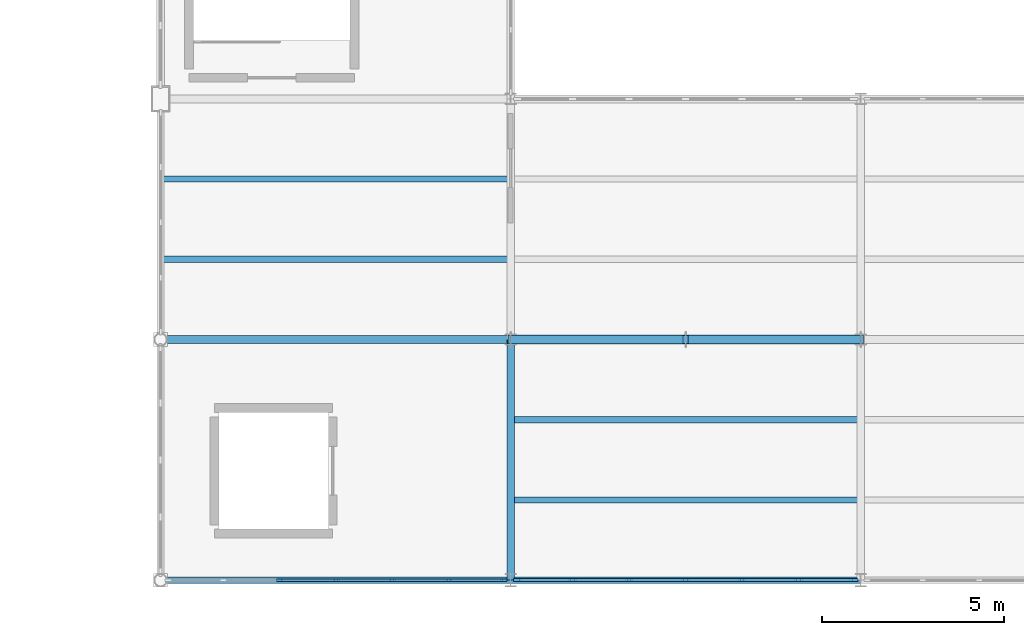
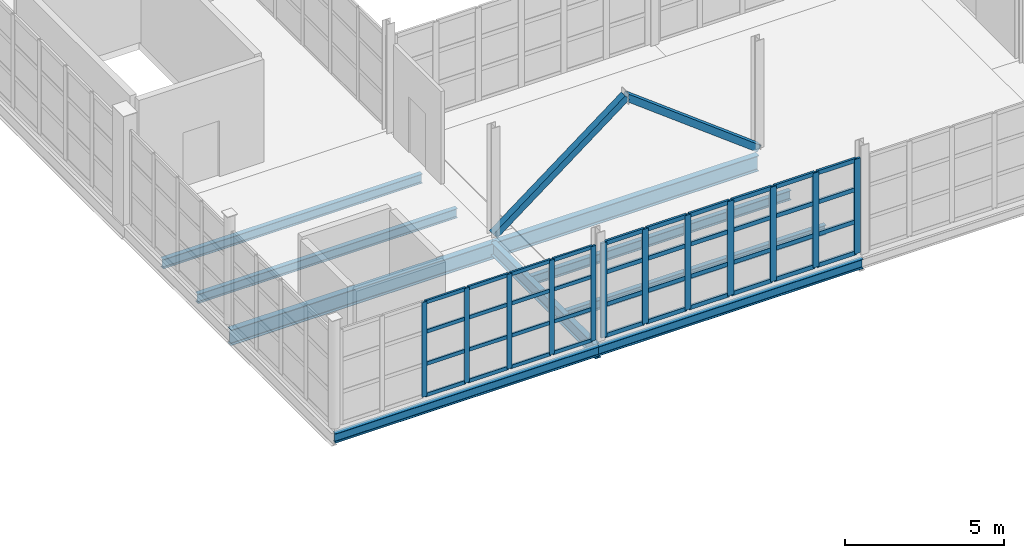
# One storey, part 42 of 82: 54 members, 9 beams, 2 elements without a shape of their own.
"""IFC4 building model written with IfcOpenShell, lengths in metres."""

from ifc_helpers import new_model, si_unit, direction, frame, origin, origin_2d, place, context, subcontext, project, spatial, rectangle, hollow_rectangle, i_section, extrude, material, layer, layer_set, material_profile, profile_set, type_object, element, aggregate, save


model = new_model("IFC4")

# Units and contexts
model_context = context("Model", 3, precision=1e-05, world=origin(), true_north=direction((0.0, 1.0)))
body_context = subcontext(model_context, "Body", "Model", "MODEL_VIEW")
ifc_project = project(units=[si_unit("LENGTHUNIT", "METRE"), si_unit("AREAUNIT", "SQUARE_METRE"), si_unit("VOLUMEUNIT", "CUBIC_METRE"), si_unit("PLANEANGLEUNIT", "RADIAN"), si_unit("MASSUNIT", "GRAM", prefix="KILO")], contexts=[model_context])

# Site, building, storey
site_placement = place(None, origin())
site = spatial("IfcSite", under=ifc_project, at=site_placement, CompositionType="ELEMENT")
building_placement = place(site_placement, origin())
building = spatial("IfcBuilding", under=site, at=building_placement, Name="Zarnetskaya Central Station", CompositionType="ELEMENT")
storey_placement = place(building_placement, frame((0.0, 0.0, 10.199951171875)))
storey = spatial("IfcBuildingStorey", under=building, at=storey_placement, Name="L02", CompositionType="ELEMENT", Elevation=10.199951171875)

# Beams
ifc_material_1 = material(Name="Steel S355", Category="steel")
ifc_material_profile_1 = material_profile(ifc_material_1, i_section(OverallWidth=0.169921875, OverallDepth=0.360107421875, WebThickness=0.008056640625, FlangeThickness=0.0126953125, FilletRadius=0.01806640625, at=origin_2d()), Name="IPE 360")
ifc_profile_set_1 = profile_set([ifc_material_profile_1], Name="Steel S355")
beam_type_1 = type_object("IfcBeamType", Name="BM-SEC-360", PredefinedType="BEAM", material=ifc_profile_set_1)
for number, where, z_axis, x_axis, name in (
    (1, (124.8798828125, 8.800048828125, -0.43994140625), (1.0, 0.0, 0.0), (0.0, 1.0, 0.0), "Secondary floor beam SEC-L02-Z994-PQ-23-1"),
    (2, (124.8798828125, 11.0, -0.43994140625), (1.0, 0.0, 0.0), (0.0, 1.0, 0.0), "Secondary floor beam SEC-L02-Z994-PQ-23-2"),
):
    element("IfcBeam", number, at=place(storey_placement, frame(where, z_axis=z_axis, x_axis=x_axis)), inside=storey, type_object=beam_type_1, Name=name, PredefinedType="BEAM", context=body_context, shape_type="SweptSolid", body=[
        extrude(i_section(OverallWidth=0.169921875, OverallDepth=0.360107421875, WebThickness=0.008056640625, FlangeThickness=0.0126953125, FilletRadius=0.01806640625, at=origin_2d()), origin(), (0.0, 0.0, 1.0), 9.440185546875),
    ])
for number, where, z_axis, x_axis, name in (
    (3, (134.47998046875, 2.199951171875, -0.43994140625), (1.0, 0.0, 0.0), (0.0, 1.0, 0.0), "Secondary floor beam SEC-L02-Z994-QR-12-1"),
    (4, (134.47998046875, 4.39990234375, -0.43994140625), (1.0, 0.0, 0.0), (0.0, 1.0, 0.0), "Secondary floor beam SEC-L02-Z994-QR-12-2"),
):
    element("IfcBeam", number, at=place(storey_placement, frame(where, z_axis=z_axis, x_axis=x_axis)), inside=storey, type_object=beam_type_1, Name=name, PredefinedType="BEAM", context=body_context, shape_type="SweptSolid", body=[
        extrude(i_section(OverallWidth=0.169921875, OverallDepth=0.360107421875, WebThickness=0.008056640625, FlangeThickness=0.0126953125, FilletRadius=0.01806640625, at=origin_2d()), origin(), (0.0, 0.0, 1.0), 9.43994140625),
    ])
ifc_material_profile_2 = material_profile(ifc_material_1, i_section(OverallWidth=0.169921875, OverallDepth=0.360107421875, WebThickness=0.008056640625, FlangeThickness=0.0126953125, FilletRadius=0.01806640625, at=origin_2d()), Name="IPE 360")
ifc_profile_set_2 = profile_set([ifc_material_profile_2], Name="Steel S355")
beam_type_2 = type_object("IfcBeamType", Name="BM-SPN-V4", PredefinedType="SPANDREL", material=ifc_profile_set_2)
beam_1_placement = place(storey_placement, frame((124.800048828125, 0.0, -0.43994140625), z_axis=(1.0, 0.0, 0.0), x_axis=(0.0, 1.0, 0.0)))
element("IfcBeam", 5, at=beam_1_placement, inside=storey, type_object=beam_type_2, Name="Grid girder GX-L02-1-PQ", PredefinedType="SPANDREL", context=body_context, shape_type="SweptSolid", body=[
    extrude(i_section(OverallWidth=0.169921875, OverallDepth=0.360107421875, WebThickness=0.008056640625, FlangeThickness=0.0126953125, FilletRadius=0.01806640625, at=origin_2d()), origin(), (0.0, 0.0, 1.0), 9.599853515625),
])
beam_2_placement = place(storey_placement, frame((134.39990234375, 0.0, -0.43994140625), z_axis=(1.0, 0.0, 0.0), x_axis=(0.0, 1.0, 0.0)))
element("IfcBeam", 6, at=beam_2_placement, inside=storey, type_object=beam_type_2, Name="Grid girder GX-L02-1-QR", PredefinedType="SPANDREL", context=body_context, shape_type="SweptSolid", body=[
    extrude(i_section(OverallWidth=0.169921875, OverallDepth=0.360107421875, WebThickness=0.008056640625, FlangeThickness=0.0126953125, FilletRadius=0.01806640625, at=origin_2d()), origin(), (0.0, 0.0, 1.0), 9.60009765625),
])

# Curtain wall, members
ifc_material_2 = material(Name="Low-E insulated glass", Category="glass")
ifc_layer = layer(ifc_material_2, 0.1640625, Name="Low-E insulated glass", Category="glass")
ifc_layer_set = layer_set([ifc_layer], Name="Low-E insulated glass")
curtain_wall_type = type_object("IfcCurtainWallType", Name="CW-SYS-07", PredefinedType="USERDEFINED", material=ifc_layer_set)
curtain_wall_1_placement = place(storey_placement, origin())
curtain_wall_1 = element("IfcCurtainWall", 7, at=curtain_wall_1_placement, inside=storey, type_object=curtain_wall_type, Name="Curtain wall CW-L02-145", ObjectType="CURTAIN WALL", PredefinedType="USERDEFINED")
ifc_material_3 = material(Name="Anodised aluminium", Category="aluminium")
ifc_material_profile_3 = material_profile(ifc_material_3, rectangle(XDim=0.070068359375, YDim=0.179931640625, at=origin_2d()), Name="ALU MULL 70x180")
ifc_profile_set_3 = profile_set([ifc_material_profile_3], Name="Anodised aluminium")
member_type_1 = type_object("IfcMemberType", Name="CW-MULL-180", PredefinedType="MULLION", material=ifc_profile_set_3)
member_1_placement = place(storey_placement, frame((134.215087890625, 0.0, 0.0), z_axis=(0.0, 0.0, 1.0), x_axis=(0.0, -1.0, 0.0)))
member_1 = element("IfcMember", 8, at=member_1_placement, type_object=member_type_1, Name="CW-06 mullion 1", PredefinedType="MULLION", context=body_context, shape_type="SweptSolid", body=[
    extrude(rectangle(XDim=0.070068359375, YDim=0.179931640625, at=origin_2d()), origin(), (0.0, 0.0, 1.0), 3.64013671875),
])
member_2_placement = place(storey_placement, frame((132.70458984375, 0.0, 0.0), z_axis=(0.0, 0.0, 1.0), x_axis=(0.0, -1.0, 0.0)))
member_2 = element("IfcMember", 9, at=member_2_placement, type_object=member_type_1, Name="CW-06 mullion 2", PredefinedType="MULLION", context=body_context, shape_type="SweptSolid", body=[
    extrude(rectangle(XDim=0.070068359375, YDim=0.179931640625, at=origin_2d()), origin(), (0.0, 0.0, 1.0), 3.64013671875),
])
member_3_placement = place(storey_placement, frame((131.1591796875, 0.0, 0.0), z_axis=(0.0, 0.0, 1.0), x_axis=(0.0, -1.0, 0.0)))
member_3 = element("IfcMember", 10, at=member_3_placement, type_object=member_type_1, Name="CW-06 mullion 3", PredefinedType="MULLION", context=body_context, shape_type="SweptSolid", body=[
    extrude(rectangle(XDim=0.070068359375, YDim=0.179931640625, at=origin_2d()), origin(), (0.0, 0.0, 1.0), 3.64013671875),
])
member_4_placement = place(storey_placement, frame((129.614013671875, 0.0, 0.0), z_axis=(0.0, 0.0, 1.0), x_axis=(0.0, -1.0, 0.0)))
member_4 = element("IfcMember", 11, at=member_4_placement, type_object=member_type_1, Name="CW-06 mullion 4", PredefinedType="MULLION", context=body_context, shape_type="SweptSolid", body=[
    extrude(rectangle(XDim=0.070068359375, YDim=0.179931640625, at=origin_2d()), origin(), (0.0, 0.0, 1.0), 3.64013671875),
])
member_5_placement = place(storey_placement, frame((128.068603515625, 0.0, 0.0), z_axis=(0.0, 0.0, 1.0), x_axis=(0.0, -1.0, 0.0)))
member_5 = element("IfcMember", 12, at=member_5_placement, type_object=member_type_1, Name="CW-06 mullion 5", PredefinedType="MULLION", context=body_context, shape_type="SweptSolid", body=[
    extrude(rectangle(XDim=0.070068359375, YDim=0.179931640625, at=origin_2d()), origin(), (0.0, 0.0, 1.0), 3.64013671875),
])

curtain_wall_2_placement = place(storey_placement, origin())
curtain_wall_2 = element("IfcCurtainWall", 13, at=curtain_wall_2_placement, inside=storey, type_object=curtain_wall_type, Name="Curtain wall CW-L02-144", ObjectType="CURTAIN WALL", PredefinedType="USERDEFINED")
ifc_material_profile_4 = material_profile(ifc_material_3, rectangle(XDim=0.080078125, YDim=0.219970703125, at=origin_2d()), Name="ALU MULL 80x220")
ifc_profile_set_4 = profile_set([ifc_material_profile_4], Name="Anodised aluminium")
member_type_2 = type_object("IfcMemberType", Name="CW-MULL-220", PredefinedType="MULLION", material=ifc_profile_set_4)
member_6_placement = place(storey_placement, frame((143.81005859375, 0.0, 0.0), z_axis=(0.0, 0.0, 1.0), x_axis=(0.0, -1.0, 0.0)))
member_6 = element("IfcMember", 14, at=member_6_placement, type_object=member_type_2, Name="CW-06 mullion 1", PredefinedType="MULLION", context=body_context, shape_type="SweptSolid", body=[
    extrude(rectangle(XDim=0.080078125, YDim=0.219970703125, at=origin_2d()), origin(), (0.0, 0.0, 1.0), 3.64013671875),
])
member_7_placement = place(storey_placement, frame((142.300048828125, 0.0, 0.0), z_axis=(0.0, 0.0, 1.0), x_axis=(0.0, -1.0, 0.0)))
member_7 = element("IfcMember", 15, at=member_7_placement, type_object=member_type_2, Name="CW-06 mullion 2", PredefinedType="MULLION", context=body_context, shape_type="SweptSolid", body=[
    extrude(rectangle(XDim=0.080078125, YDim=0.219970703125, at=origin_2d()), origin(), (0.0, 0.0, 1.0), 3.64013671875),
])
member_8_placement = place(storey_placement, frame((140.75, 0.0, 0.0), z_axis=(0.0, 0.0, 1.0), x_axis=(0.0, -1.0, 0.0)))
member_8 = element("IfcMember", 16, at=member_8_placement, type_object=member_type_2, Name="CW-06 mullion 3", PredefinedType="MULLION", context=body_context, shape_type="SweptSolid", body=[
    extrude(rectangle(XDim=0.080078125, YDim=0.219970703125, at=origin_2d()), origin(), (0.0, 0.0, 1.0), 3.64013671875),
])
member_9_placement = place(storey_placement, frame((139.199951171875, 0.0, 0.0), z_axis=(0.0, 0.0, 1.0), x_axis=(0.0, -1.0, 0.0)))
member_9 = element("IfcMember", 17, at=member_9_placement, type_object=member_type_2, Name="CW-06 mullion 4", PredefinedType="MULLION", context=body_context, shape_type="SweptSolid", body=[
    extrude(rectangle(XDim=0.080078125, YDim=0.219970703125, at=origin_2d()), origin(), (0.0, 0.0, 1.0), 3.64013671875),
])
member_10_placement = place(storey_placement, frame((137.64990234375, 0.0, 0.0), z_axis=(0.0, 0.0, 1.0), x_axis=(0.0, -1.0, 0.0)))
member_10 = element("IfcMember", 18, at=member_10_placement, type_object=member_type_2, Name="CW-06 mullion 5", PredefinedType="MULLION", context=body_context, shape_type="SweptSolid", body=[
    extrude(rectangle(XDim=0.080078125, YDim=0.219970703125, at=origin_2d()), origin(), (0.0, 0.0, 1.0), 3.64013671875),
])
member_11_placement = place(storey_placement, frame((136.10009765625, 0.0, 0.0), z_axis=(0.0, 0.0, 1.0), x_axis=(0.0, -1.0, 0.0)))
member_11 = element("IfcMember", 19, at=member_11_placement, type_object=member_type_2, Name="CW-06 mullion 6", PredefinedType="MULLION", context=body_context, shape_type="SweptSolid", body=[
    extrude(rectangle(XDim=0.080078125, YDim=0.219970703125, at=origin_2d()), origin(), (0.0, 0.0, 1.0), 3.64013671875),
])
member_12_placement = place(storey_placement, frame((134.590087890625, 0.0, 0.0), z_axis=(0.0, 0.0, 1.0), x_axis=(0.0, -1.0, 0.0)))
member_12 = element("IfcMember", 20, at=member_12_placement, type_object=member_type_2, Name="CW-06 mullion 7", PredefinedType="MULLION", context=body_context, shape_type="SweptSolid", body=[
    extrude(rectangle(XDim=0.080078125, YDim=0.219970703125, at=origin_2d()), origin(), (0.0, 0.0, 1.0), 3.64013671875),
])

# Member
ifc_material_profile_5 = material_profile(ifc_material_3, rectangle(XDim=0.070068359375, YDim=0.139892578125, at=origin_2d()), Name="ALU TRAN 70x140")
ifc_profile_set_5 = profile_set([ifc_material_profile_5], Name="Anodised aluminium")
member_type_3 = type_object("IfcMemberType", Name="CW-TRAN-140", PredefinedType="USERDEFINED", material=ifc_profile_set_5)
member_13_placement = place(storey_placement, frame((134.179931640625, 0.0, 0.03515625), z_axis=(-1.0, 0.0, 0.0), x_axis=(0.0, -1.0, 0.0)))
member_13 = element("IfcMember", 21, at=member_13_placement, type_object=member_type_3, Name="CW-06 transom 1.1", ObjectType="TRANSOM", PredefinedType="USERDEFINED", context=body_context, shape_type="SweptSolid", body=[
    extrude(rectangle(XDim=0.070068359375, YDim=0.139892578125, at=origin_2d()), origin(), (0.0, 0.0, 1.0), 1.440185546875),
])

member_14_placement = place(storey_placement, frame((134.179931640625, 0.0, 1.238037109375), z_axis=(-1.0, 0.0, 0.0), x_axis=(0.0, -1.0, 0.0)))
member_14 = element("IfcMember", 22, at=member_14_placement, type_object=member_type_3, Name="CW-06 transom 1.2", ObjectType="TRANSOM", PredefinedType="USERDEFINED", context=body_context, shape_type="SweptSolid", body=[
    extrude(rectangle(XDim=0.070068359375, YDim=0.139892578125, at=origin_2d()), origin(), (0.0, 0.0, 1.0), 1.440185546875),
])

member_15_placement = place(storey_placement, frame((134.179931640625, 0.0, 2.47509765625), z_axis=(-1.0, 0.0, 0.0), x_axis=(0.0, -1.0, 0.0)))
member_15 = element("IfcMember", 23, at=member_15_placement, type_object=member_type_3, Name="CW-06 transom 1.3", ObjectType="TRANSOM", PredefinedType="USERDEFINED", context=body_context, shape_type="SweptSolid", body=[
    extrude(rectangle(XDim=0.070068359375, YDim=0.139892578125, at=origin_2d()), origin(), (0.0, 0.0, 1.0), 1.440185546875),
])

member_16_placement = place(storey_placement, frame((134.179931640625, 0.0, 3.60498046875), z_axis=(-1.0, 0.0, 0.0), x_axis=(0.0, -1.0, 0.0)))
member_16 = element("IfcMember", 24, at=member_16_placement, type_object=member_type_3, Name="CW-06 transom 1.4", ObjectType="TRANSOM", PredefinedType="USERDEFINED", context=body_context, shape_type="SweptSolid", body=[
    extrude(rectangle(XDim=0.070068359375, YDim=0.139892578125, at=origin_2d()), origin(), (0.0, 0.0, 1.0), 1.440185546875),
])

member_17_placement = place(storey_placement, frame((132.669677734375, 0.0, 0.03515625), z_axis=(-1.0, 0.0, 0.0), x_axis=(0.0, -1.0, 0.0)))
member_17 = element("IfcMember", 25, at=member_17_placement, type_object=member_type_3, Name="CW-06 transom 2.1", ObjectType="TRANSOM", PredefinedType="USERDEFINED", context=body_context, shape_type="SweptSolid", body=[
    extrude(rectangle(XDim=0.070068359375, YDim=0.139892578125, at=origin_2d()), origin(), (0.0, 0.0, 1.0), 1.475341796875),
])

member_18_placement = place(storey_placement, frame((132.669677734375, 0.0, 1.238037109375), z_axis=(-1.0, 0.0, 0.0), x_axis=(0.0, -1.0, 0.0)))
member_18 = element("IfcMember", 26, at=member_18_placement, type_object=member_type_3, Name="CW-06 transom 2.2", ObjectType="TRANSOM", PredefinedType="USERDEFINED", context=body_context, shape_type="SweptSolid", body=[
    extrude(rectangle(XDim=0.070068359375, YDim=0.139892578125, at=origin_2d()), origin(), (0.0, 0.0, 1.0), 1.475341796875),
])

member_19_placement = place(storey_placement, frame((132.669677734375, 0.0, 2.47509765625), z_axis=(-1.0, 0.0, 0.0), x_axis=(0.0, -1.0, 0.0)))
member_19 = element("IfcMember", 27, at=member_19_placement, type_object=member_type_3, Name="CW-06 transom 2.3", ObjectType="TRANSOM", PredefinedType="USERDEFINED", context=body_context, shape_type="SweptSolid", body=[
    extrude(rectangle(XDim=0.070068359375, YDim=0.139892578125, at=origin_2d()), origin(), (0.0, 0.0, 1.0), 1.475341796875),
])

member_20_placement = place(storey_placement, frame((132.669677734375, 0.0, 3.60498046875), z_axis=(-1.0, 0.0, 0.0), x_axis=(0.0, -1.0, 0.0)))
member_20 = element("IfcMember", 28, at=member_20_placement, type_object=member_type_3, Name="CW-06 transom 2.4", ObjectType="TRANSOM", PredefinedType="USERDEFINED", context=body_context, shape_type="SweptSolid", body=[
    extrude(rectangle(XDim=0.070068359375, YDim=0.139892578125, at=origin_2d()), origin(), (0.0, 0.0, 1.0), 1.475341796875),
])

member_21_placement = place(storey_placement, frame((131.124267578125, 0.0, 0.03515625), z_axis=(-1.0, 0.0, 0.0), x_axis=(0.0, -1.0, 0.0)))
member_21 = element("IfcMember", 29, at=member_21_placement, type_object=member_type_3, Name="CW-06 transom 3.1", ObjectType="TRANSOM", PredefinedType="USERDEFINED", context=body_context, shape_type="SweptSolid", body=[
    extrude(rectangle(XDim=0.070068359375, YDim=0.139892578125, at=origin_2d()), origin(), (0.0, 0.0, 1.0), 1.475341796875),
])

member_22_placement = place(storey_placement, frame((131.124267578125, 0.0, 1.238037109375), z_axis=(-1.0, 0.0, 0.0), x_axis=(0.0, -1.0, 0.0)))
member_22 = element("IfcMember", 30, at=member_22_placement, type_object=member_type_3, Name="CW-06 transom 3.2", ObjectType="TRANSOM", PredefinedType="USERDEFINED", context=body_context, shape_type="SweptSolid", body=[
    extrude(rectangle(XDim=0.070068359375, YDim=0.139892578125, at=origin_2d()), origin(), (0.0, 0.0, 1.0), 1.475341796875),
])

member_23_placement = place(storey_placement, frame((131.124267578125, 0.0, 2.47509765625), z_axis=(-1.0, 0.0, 0.0), x_axis=(0.0, -1.0, 0.0)))
member_23 = element("IfcMember", 31, at=member_23_placement, type_object=member_type_3, Name="CW-06 transom 3.3", ObjectType="TRANSOM", PredefinedType="USERDEFINED", context=body_context, shape_type="SweptSolid", body=[
    extrude(rectangle(XDim=0.070068359375, YDim=0.139892578125, at=origin_2d()), origin(), (0.0, 0.0, 1.0), 1.475341796875),
])

member_24_placement = place(storey_placement, frame((131.124267578125, 0.0, 3.60498046875), z_axis=(-1.0, 0.0, 0.0), x_axis=(0.0, -1.0, 0.0)))
member_24 = element("IfcMember", 32, at=member_24_placement, type_object=member_type_3, Name="CW-06 transom 3.4", ObjectType="TRANSOM", PredefinedType="USERDEFINED", context=body_context, shape_type="SweptSolid", body=[
    extrude(rectangle(XDim=0.070068359375, YDim=0.139892578125, at=origin_2d()), origin(), (0.0, 0.0, 1.0), 1.475341796875),
])

member_25_placement = place(storey_placement, frame((129.578857421875, 0.0, 0.03515625), z_axis=(-1.0, 0.0, 0.0), x_axis=(0.0, -1.0, 0.0)))
member_25 = element("IfcMember", 33, at=member_25_placement, type_object=member_type_3, Name="CW-06 transom 4.1", ObjectType="TRANSOM", PredefinedType="USERDEFINED", context=body_context, shape_type="SweptSolid", body=[
    extrude(rectangle(XDim=0.070068359375, YDim=0.139892578125, at=origin_2d()), origin(), (0.0, 0.0, 1.0), 1.475341796875),
])

member_26_placement = place(storey_placement, frame((129.578857421875, 0.0, 1.238037109375), z_axis=(-1.0, 0.0, 0.0), x_axis=(0.0, -1.0, 0.0)))
member_26 = element("IfcMember", 34, at=member_26_placement, type_object=member_type_3, Name="CW-06 transom 4.2", ObjectType="TRANSOM", PredefinedType="USERDEFINED", context=body_context, shape_type="SweptSolid", body=[
    extrude(rectangle(XDim=0.070068359375, YDim=0.139892578125, at=origin_2d()), origin(), (0.0, 0.0, 1.0), 1.475341796875),
])

member_27_placement = place(storey_placement, frame((129.578857421875, 0.0, 2.47509765625), z_axis=(-1.0, 0.0, 0.0), x_axis=(0.0, -1.0, 0.0)))
member_27 = element("IfcMember", 35, at=member_27_placement, type_object=member_type_3, Name="CW-06 transom 4.3", ObjectType="TRANSOM", PredefinedType="USERDEFINED", context=body_context, shape_type="SweptSolid", body=[
    extrude(rectangle(XDim=0.070068359375, YDim=0.139892578125, at=origin_2d()), origin(), (0.0, 0.0, 1.0), 1.475341796875),
])

member_28_placement = place(storey_placement, frame((129.578857421875, 0.0, 3.60498046875), z_axis=(-1.0, 0.0, 0.0), x_axis=(0.0, -1.0, 0.0)))
member_28 = element("IfcMember", 36, at=member_28_placement, type_object=member_type_3, Name="CW-06 transom 4.4", ObjectType="TRANSOM", PredefinedType="USERDEFINED", context=body_context, shape_type="SweptSolid", body=[
    extrude(rectangle(XDim=0.070068359375, YDim=0.139892578125, at=origin_2d()), origin(), (0.0, 0.0, 1.0), 1.475341796875),
])

aggregate(curtain_wall_1, [member_1, member_2, member_3, member_4, member_5, member_13, member_14, member_15, member_16, member_17, member_18, member_19, member_20, member_21, member_22, member_23, member_24, member_25, member_26, member_27, member_28])

ifc_material_profile_6 = material_profile(ifc_material_3, rectangle(XDim=0.080078125, YDim=0.159912109375, at=origin_2d()), Name="ALU TRAN 80x160")
ifc_profile_set_6 = profile_set([ifc_material_profile_6], Name="Anodised aluminium")
member_type_4 = type_object("IfcMemberType", Name="CW-TRAN-160", PredefinedType="USERDEFINED", material=ifc_profile_set_6)
member_29_placement = place(storey_placement, frame((143.77001953125, 0.0, 0.0400390625), z_axis=(-1.0, 0.0, 0.0), x_axis=(0.0, -1.0, 0.0)))
member_29 = element("IfcMember", 37, at=member_29_placement, type_object=member_type_4, Name="CW-06 transom 1.1", ObjectType="TRANSOM", PredefinedType="USERDEFINED", context=body_context, shape_type="SweptSolid", body=[
    extrude(rectangle(XDim=0.080078125, YDim=0.159912109375, at=origin_2d()), origin(), (0.0, 0.0, 1.0), 1.429931640625),
])

member_30_placement = place(storey_placement, frame((143.77001953125, 0.0, 1.238037109375), z_axis=(-1.0, 0.0, 0.0), x_axis=(0.0, -1.0, 0.0)))
member_30 = element("IfcMember", 38, at=member_30_placement, type_object=member_type_4, Name="CW-06 transom 1.2", ObjectType="TRANSOM", PredefinedType="USERDEFINED", context=body_context, shape_type="SweptSolid", body=[
    extrude(rectangle(XDim=0.080078125, YDim=0.159912109375, at=origin_2d()), origin(), (0.0, 0.0, 1.0), 1.429931640625),
])

member_31_placement = place(storey_placement, frame((143.77001953125, 0.0, 2.47509765625), z_axis=(-1.0, 0.0, 0.0), x_axis=(0.0, -1.0, 0.0)))
member_31 = element("IfcMember", 39, at=member_31_placement, type_object=member_type_4, Name="CW-06 transom 1.3", ObjectType="TRANSOM", PredefinedType="USERDEFINED", context=body_context, shape_type="SweptSolid", body=[
    extrude(rectangle(XDim=0.080078125, YDim=0.159912109375, at=origin_2d()), origin(), (0.0, 0.0, 1.0), 1.429931640625),
])

member_32_placement = place(storey_placement, frame((143.77001953125, 0.0, 3.60009765625), z_axis=(-1.0, 0.0, 0.0), x_axis=(0.0, -1.0, 0.0)))
member_32 = element("IfcMember", 40, at=member_32_placement, type_object=member_type_4, Name="CW-06 transom 1.4", ObjectType="TRANSOM", PredefinedType="USERDEFINED", context=body_context, shape_type="SweptSolid", body=[
    extrude(rectangle(XDim=0.080078125, YDim=0.159912109375, at=origin_2d()), origin(), (0.0, 0.0, 1.0), 1.429931640625),
])

member_33_placement = place(storey_placement, frame((142.260009765625, 0.0, 0.0400390625), z_axis=(-1.0, 0.0, 0.0), x_axis=(0.0, -1.0, 0.0)))
member_33 = element("IfcMember", 41, at=member_33_placement, type_object=member_type_4, Name="CW-06 transom 2.1", ObjectType="TRANSOM", PredefinedType="USERDEFINED", context=body_context, shape_type="SweptSolid", body=[
    extrude(rectangle(XDim=0.080078125, YDim=0.159912109375, at=origin_2d()), origin(), (0.0, 0.0, 1.0), 1.469970703125),
])

member_34_placement = place(storey_placement, frame((142.260009765625, 0.0, 1.238037109375), z_axis=(-1.0, 0.0, 0.0), x_axis=(0.0, -1.0, 0.0)))
member_34 = element("IfcMember", 42, at=member_34_placement, type_object=member_type_4, Name="CW-06 transom 2.2", ObjectType="TRANSOM", PredefinedType="USERDEFINED", context=body_context, shape_type="SweptSolid", body=[
    extrude(rectangle(XDim=0.080078125, YDim=0.159912109375, at=origin_2d()), origin(), (0.0, 0.0, 1.0), 1.469970703125),
])

member_35_placement = place(storey_placement, frame((142.260009765625, 0.0, 2.47509765625), z_axis=(-1.0, 0.0, 0.0), x_axis=(0.0, -1.0, 0.0)))
member_35 = element("IfcMember", 43, at=member_35_placement, type_object=member_type_4, Name="CW-06 transom 2.3", ObjectType="TRANSOM", PredefinedType="USERDEFINED", context=body_context, shape_type="SweptSolid", body=[
    extrude(rectangle(XDim=0.080078125, YDim=0.159912109375, at=origin_2d()), origin(), (0.0, 0.0, 1.0), 1.469970703125),
])

member_36_placement = place(storey_placement, frame((142.260009765625, 0.0, 3.60009765625), z_axis=(-1.0, 0.0, 0.0), x_axis=(0.0, -1.0, 0.0)))
member_36 = element("IfcMember", 44, at=member_36_placement, type_object=member_type_4, Name="CW-06 transom 2.4", ObjectType="TRANSOM", PredefinedType="USERDEFINED", context=body_context, shape_type="SweptSolid", body=[
    extrude(rectangle(XDim=0.080078125, YDim=0.159912109375, at=origin_2d()), origin(), (0.0, 0.0, 1.0), 1.469970703125),
])

member_37_placement = place(storey_placement, frame((140.7099609375, 0.0, 0.0400390625), z_axis=(-1.0, 0.0, 0.0), x_axis=(0.0, -1.0, 0.0)))
member_37 = element("IfcMember", 45, at=member_37_placement, type_object=member_type_4, Name="CW-06 transom 3.1", ObjectType="TRANSOM", PredefinedType="USERDEFINED", context=body_context, shape_type="SweptSolid", body=[
    extrude(rectangle(XDim=0.080078125, YDim=0.159912109375, at=origin_2d()), origin(), (0.0, 0.0, 1.0), 1.469970703125),
])

member_38_placement = place(storey_placement, frame((140.7099609375, 0.0, 1.238037109375), z_axis=(-1.0, 0.0, 0.0), x_axis=(0.0, -1.0, 0.0)))
member_38 = element("IfcMember", 46, at=member_38_placement, type_object=member_type_4, Name="CW-06 transom 3.2", ObjectType="TRANSOM", PredefinedType="USERDEFINED", context=body_context, shape_type="SweptSolid", body=[
    extrude(rectangle(XDim=0.080078125, YDim=0.159912109375, at=origin_2d()), origin(), (0.0, 0.0, 1.0), 1.469970703125),
])

member_39_placement = place(storey_placement, frame((140.7099609375, 0.0, 2.47509765625), z_axis=(-1.0, 0.0, 0.0), x_axis=(0.0, -1.0, 0.0)))
member_39 = element("IfcMember", 47, at=member_39_placement, type_object=member_type_4, Name="CW-06 transom 3.3", ObjectType="TRANSOM", PredefinedType="USERDEFINED", context=body_context, shape_type="SweptSolid", body=[
    extrude(rectangle(XDim=0.080078125, YDim=0.159912109375, at=origin_2d()), origin(), (0.0, 0.0, 1.0), 1.469970703125),
])

member_40_placement = place(storey_placement, frame((140.7099609375, 0.0, 3.60009765625), z_axis=(-1.0, 0.0, 0.0), x_axis=(0.0, -1.0, 0.0)))
member_40 = element("IfcMember", 48, at=member_40_placement, type_object=member_type_4, Name="CW-06 transom 3.4", ObjectType="TRANSOM", PredefinedType="USERDEFINED", context=body_context, shape_type="SweptSolid", body=[
    extrude(rectangle(XDim=0.080078125, YDim=0.159912109375, at=origin_2d()), origin(), (0.0, 0.0, 1.0), 1.469970703125),
])

member_41_placement = place(storey_placement, frame((139.159912109375, 0.0, 0.0400390625), z_axis=(-1.0, 0.0, 0.0), x_axis=(0.0, -1.0, 0.0)))
member_41 = element("IfcMember", 49, at=member_41_placement, type_object=member_type_4, Name="CW-06 transom 4.1", ObjectType="TRANSOM", PredefinedType="USERDEFINED", context=body_context, shape_type="SweptSolid", body=[
    extrude(rectangle(XDim=0.080078125, YDim=0.159912109375, at=origin_2d()), origin(), (0.0, 0.0, 1.0), 1.469970703125),
])

member_42_placement = place(storey_placement, frame((139.159912109375, 0.0, 1.238037109375), z_axis=(-1.0, 0.0, 0.0), x_axis=(0.0, -1.0, 0.0)))
member_42 = element("IfcMember", 50, at=member_42_placement, type_object=member_type_4, Name="CW-06 transom 4.2", ObjectType="TRANSOM", PredefinedType="USERDEFINED", context=body_context, shape_type="SweptSolid", body=[
    extrude(rectangle(XDim=0.080078125, YDim=0.159912109375, at=origin_2d()), origin(), (0.0, 0.0, 1.0), 1.469970703125),
])

member_43_placement = place(storey_placement, frame((139.159912109375, 0.0, 2.47509765625), z_axis=(-1.0, 0.0, 0.0), x_axis=(0.0, -1.0, 0.0)))
member_43 = element("IfcMember", 51, at=member_43_placement, type_object=member_type_4, Name="CW-06 transom 4.3", ObjectType="TRANSOM", PredefinedType="USERDEFINED", context=body_context, shape_type="SweptSolid", body=[
    extrude(rectangle(XDim=0.080078125, YDim=0.159912109375, at=origin_2d()), origin(), (0.0, 0.0, 1.0), 1.469970703125),
])

member_44_placement = place(storey_placement, frame((139.159912109375, 0.0, 3.60009765625), z_axis=(-1.0, 0.0, 0.0), x_axis=(0.0, -1.0, 0.0)))
member_44 = element("IfcMember", 52, at=member_44_placement, type_object=member_type_4, Name="CW-06 transom 4.4", ObjectType="TRANSOM", PredefinedType="USERDEFINED", context=body_context, shape_type="SweptSolid", body=[
    extrude(rectangle(XDim=0.080078125, YDim=0.159912109375, at=origin_2d()), origin(), (0.0, 0.0, 1.0), 1.469970703125),
])

member_45_placement = place(storey_placement, frame((137.610107421875, 0.0, 0.0400390625), z_axis=(-1.0, 0.0, 0.0), x_axis=(0.0, -1.0, 0.0)))
member_45 = element("IfcMember", 53, at=member_45_placement, type_object=member_type_4, Name="CW-06 transom 5.1", ObjectType="TRANSOM", PredefinedType="USERDEFINED", context=body_context, shape_type="SweptSolid", body=[
    extrude(rectangle(XDim=0.080078125, YDim=0.159912109375, at=origin_2d()), origin(), (0.0, 0.0, 1.0), 1.47021484375),
])

member_46_placement = place(storey_placement, frame((137.610107421875, 0.0, 1.238037109375), z_axis=(-1.0, 0.0, 0.0), x_axis=(0.0, -1.0, 0.0)))
member_46 = element("IfcMember", 54, at=member_46_placement, type_object=member_type_4, Name="CW-06 transom 5.2", ObjectType="TRANSOM", PredefinedType="USERDEFINED", context=body_context, shape_type="SweptSolid", body=[
    extrude(rectangle(XDim=0.080078125, YDim=0.159912109375, at=origin_2d()), origin(), (0.0, 0.0, 1.0), 1.47021484375),
])

member_47_placement = place(storey_placement, frame((137.610107421875, 0.0, 2.47509765625), z_axis=(-1.0, 0.0, 0.0), x_axis=(0.0, -1.0, 0.0)))
member_47 = element("IfcMember", 55, at=member_47_placement, type_object=member_type_4, Name="CW-06 transom 5.3", ObjectType="TRANSOM", PredefinedType="USERDEFINED", context=body_context, shape_type="SweptSolid", body=[
    extrude(rectangle(XDim=0.080078125, YDim=0.159912109375, at=origin_2d()), origin(), (0.0, 0.0, 1.0), 1.47021484375),
])

member_48_placement = place(storey_placement, frame((137.610107421875, 0.0, 3.60009765625), z_axis=(-1.0, 0.0, 0.0), x_axis=(0.0, -1.0, 0.0)))
member_48 = element("IfcMember", 56, at=member_48_placement, type_object=member_type_4, Name="CW-06 transom 5.4", ObjectType="TRANSOM", PredefinedType="USERDEFINED", context=body_context, shape_type="SweptSolid", body=[
    extrude(rectangle(XDim=0.080078125, YDim=0.159912109375, at=origin_2d()), origin(), (0.0, 0.0, 1.0), 1.47021484375),
])

member_49_placement = place(storey_placement, frame((136.06005859375, 0.0, 0.0400390625), z_axis=(-1.0, 0.0, 0.0), x_axis=(0.0, -1.0, 0.0)))
member_49 = element("IfcMember", 57, at=member_49_placement, type_object=member_type_4, Name="CW-06 transom 6.1", ObjectType="TRANSOM", PredefinedType="USERDEFINED", context=body_context, shape_type="SweptSolid", body=[
    extrude(rectangle(XDim=0.080078125, YDim=0.159912109375, at=origin_2d()), origin(), (0.0, 0.0, 1.0), 1.43017578125),
])

member_50_placement = place(storey_placement, frame((136.06005859375, 0.0, 1.238037109375), z_axis=(-1.0, 0.0, 0.0), x_axis=(0.0, -1.0, 0.0)))
member_50 = element("IfcMember", 58, at=member_50_placement, type_object=member_type_4, Name="CW-06 transom 6.2", ObjectType="TRANSOM", PredefinedType="USERDEFINED", context=body_context, shape_type="SweptSolid", body=[
    extrude(rectangle(XDim=0.080078125, YDim=0.159912109375, at=origin_2d()), origin(), (0.0, 0.0, 1.0), 1.43017578125),
])

member_51_placement = place(storey_placement, frame((136.06005859375, 0.0, 2.47509765625), z_axis=(-1.0, 0.0, 0.0), x_axis=(0.0, -1.0, 0.0)))
member_51 = element("IfcMember", 59, at=member_51_placement, type_object=member_type_4, Name="CW-06 transom 6.3", ObjectType="TRANSOM", PredefinedType="USERDEFINED", context=body_context, shape_type="SweptSolid", body=[
    extrude(rectangle(XDim=0.080078125, YDim=0.159912109375, at=origin_2d()), origin(), (0.0, 0.0, 1.0), 1.43017578125),
])

member_52_placement = place(storey_placement, frame((136.06005859375, 0.0, 3.60009765625), z_axis=(-1.0, 0.0, 0.0), x_axis=(0.0, -1.0, 0.0)))
member_52 = element("IfcMember", 60, at=member_52_placement, type_object=member_type_4, Name="CW-06 transom 6.4", ObjectType="TRANSOM", PredefinedType="USERDEFINED", context=body_context, shape_type="SweptSolid", body=[
    extrude(rectangle(XDim=0.080078125, YDim=0.159912109375, at=origin_2d()), origin(), (0.0, 0.0, 1.0), 1.43017578125),
])

aggregate(curtain_wall_2, [member_6, member_7, member_8, member_9, member_10, member_11, member_12, member_29, member_30, member_31, member_32, member_33, member_34, member_35, member_36, member_37, member_38, member_39, member_40, member_41, member_42, member_43, member_44, member_45, member_46, member_47, member_48, member_49, member_50, member_51, member_52])

# Beams
ifc_material_profile_7 = material_profile(ifc_material_1, i_section(OverallWidth=0.199951171875, OverallDepth=0.5, WebThickness=0.01025390625, FlangeThickness=0.01611328125, FilletRadius=0.02099609375, at=origin_2d()), Name="IPE 500")
ifc_profile_set_7 = profile_set([ifc_material_profile_7], Name="Steel S355")
beam_type_3 = type_object("IfcBeamType", Name="GD-FLR-500", PredefinedType="USERDEFINED", material=ifc_profile_set_7)
beam_3_placement = place(storey_placement, frame((134.39990234375, 0.0, -0.510009765625), z_axis=(0.0, 1.0, 0.0), x_axis=(-1.0, 0.0, 0.0)))
element("IfcBeam", 61, at=beam_3_placement, inside=storey, type_object=beam_type_3, Name="Grid girder GY-L02-Q-12", ObjectType="GIRDER", PredefinedType="USERDEFINED", context=body_context, shape_type="SweptSolid", body=[
    extrude(i_section(OverallWidth=0.199951171875, OverallDepth=0.5, WebThickness=0.01025390625, FlangeThickness=0.01611328125, FilletRadius=0.02099609375, at=origin_2d()), origin(), (0.0, 0.0, 1.0), 6.60009765625),
])
ifc_material_profile_8 = material_profile(ifc_material_1, i_section(OverallWidth=0.219970703125, OverallDepth=0.60009765625, WebThickness=0.011962890625, FlangeThickness=0.01904296875, FilletRadius=0.02392578125, at=origin_2d()), Name="IPE 600")
ifc_profile_set_8 = profile_set([ifc_material_profile_8], Name="Steel S355")
beam_type_4 = type_object("IfcBeamType", Name="GD-FLR-600", PredefinedType="USERDEFINED", material=ifc_profile_set_8)
beam_4_placement = place(storey_placement, frame((124.800048828125, 6.60009765625, -0.56005859375), z_axis=(1.0, 0.0, 0.0), x_axis=(0.0, 1.0, 0.0)))
element("IfcBeam", 62, at=beam_4_placement, inside=storey, type_object=beam_type_4, Name="Grid girder GX-L02-2-PQ", ObjectType="GIRDER", PredefinedType="USERDEFINED", context=body_context, shape_type="SweptSolid", body=[
    extrude(i_section(OverallWidth=0.219970703125, OverallDepth=0.60009765625, WebThickness=0.011962890625, FlangeThickness=0.01904296875, FilletRadius=0.02392578125, at=origin_2d()), origin(), (0.0, 0.0, 1.0), 9.599853515625),
])
beam_5_placement = place(storey_placement, frame((134.39990234375, 6.60009765625, -0.56005859375), z_axis=(1.0, 0.0, 0.0), x_axis=(0.0, 1.0, 0.0)))
element("IfcBeam", 63, at=beam_5_placement, inside=storey, type_object=beam_type_4, Name="Grid girder GX-L02-2-QR", ObjectType="GIRDER", PredefinedType="USERDEFINED", context=body_context, shape_type="SweptSolid", body=[
    extrude(i_section(OverallWidth=0.219970703125, OverallDepth=0.60009765625, WebThickness=0.011962890625, FlangeThickness=0.01904296875, FilletRadius=0.02392578125, at=origin_2d()), origin(), (0.0, 0.0, 1.0), 9.60009765625),
])

# Members
ifc_material_profile_9 = material_profile(ifc_material_1, hollow_rectangle(XDim=0.25, YDim=0.25, WallThickness=0.012451171875, at=origin_2d()), Name="SHS 250x250x12.5")
ifc_profile_set_9 = profile_set([ifc_material_profile_9], Name="Steel S355")
member_type_5 = type_object("IfcMemberType", Name="MB-CBF-BRACE", PredefinedType="BRACE", material=ifc_profile_set_9)
for number, where, z_axis, x_axis, name in (
    (64, (134.39990234375, 6.60009765625, 0.0), (0.795993649849, 0.0, 0.605304972224), (0.0, 1.0, 0.0), "Concentrically braced frame chevron 3L L02"),
    (65, (144.0, 6.60009765625, 0.0), (-0.795993649849, 0.0, 0.605304972224), (0.0, -1.0, 0.0), "Concentrically braced frame chevron 3R L02"),
):
    element("IfcMember", number, at=place(storey_placement, frame(where, z_axis=z_axis, x_axis=x_axis)), inside=storey, type_object=member_type_5, Name=name, PredefinedType="BRACE", context=body_context, shape_type="SweptSolid", body=[
        extrude(hollow_rectangle(XDim=0.25, YDim=0.25, WallThickness=0.012451171875, at=origin_2d()), origin(), (0.0, 0.0, 1.0), 6.0302734375),
    ])

save(model, "model.ifc")
